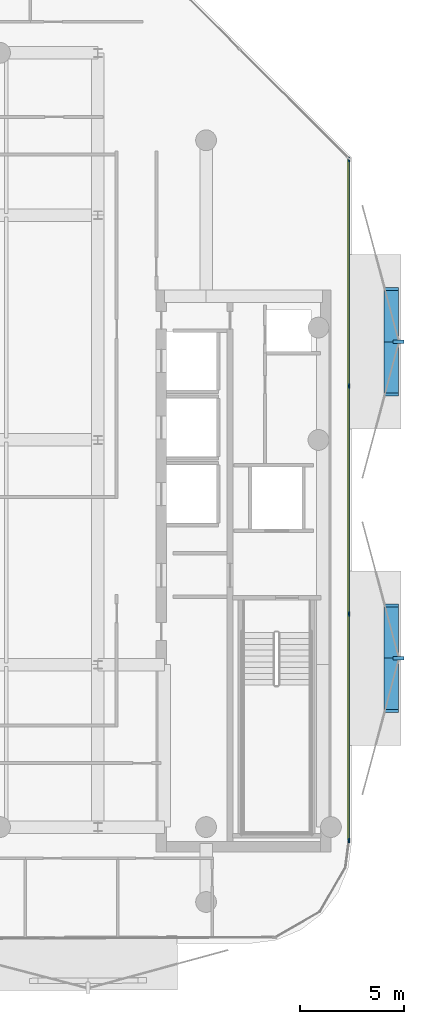
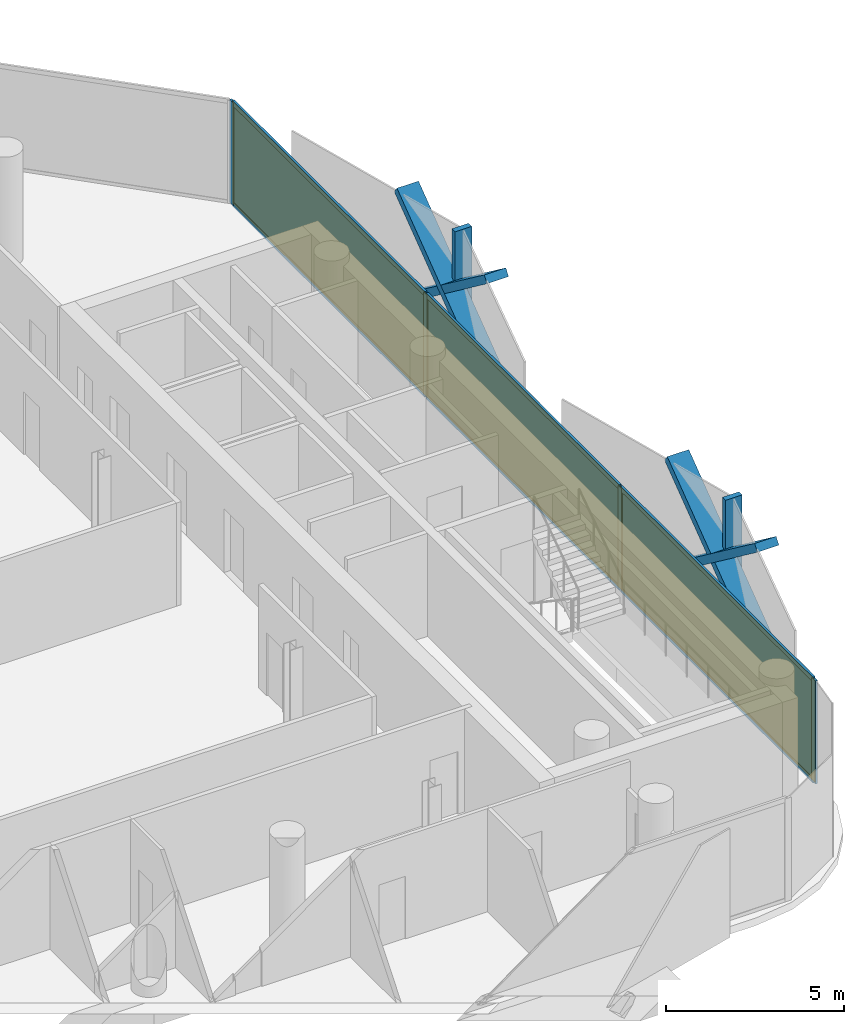
# One storey, part 11 of 16: 16 members, 3 plates, 1 curtain wall.
"""IFC4 building model written with IfcOpenShell, lengths in metres."""

from ifc_helpers import new_model, si_unit, direction, frame, frame_2d, origin, origin_2d, place, context, subcontext, project, spatial, rectangle, extrude, material, layer, layer_set, material_profile, profile_set, type_object, element, aggregate, save


model = new_model("IFC4")

# Units and contexts
model_context = context("Model", 3, precision=1e-05, world=origin(), true_north=direction((0.0, 1.0)))
body_context = subcontext(model_context, "Body", "Model", "MODEL_VIEW")
ifc_project = project(units=[si_unit("LENGTHUNIT", "METRE"), si_unit("AREAUNIT", "SQUARE_METRE"), si_unit("VOLUMEUNIT", "CUBIC_METRE"), si_unit("PLANEANGLEUNIT", "RADIAN"), si_unit("MASSUNIT", "GRAM", prefix="KILO")], contexts=[model_context])

# Member
ifc_material_1 = material(Name="Anodised Bronze Aluminium 6063-T6", Category="aluminium")
ifc_material_profile_1 = material_profile(ifc_material_1, rectangle(XDim=0.260009765625, YDim=0.699951171875, at=origin_2d()))
ifc_profile_set_1 = profile_set([ifc_material_profile_1], Name="Anodised Bronze Aluminium 6063-T6")
member_type_1 = type_object("IfcMemberType", Name="Bronze Diamond Solar-Screen Lattice Rib BDL-700", PredefinedType="MULLION", material=ifc_profile_set_1)
site_placement = place(None, origin())
building_placement = place(site_placement, origin())
storey_placement = place(building_placement, frame((0.0, 0.0, 281.39990234375)))
member_1_placement = place(storey_placement, frame((23.300048828125, 7.253173828125, -0.1298828125), z_axis=(0.0, -0.800120221635, 0.599839671021), x_axis=(0.0, -0.599839671021, -0.800120221635)))
member_1 = element("IfcMember", 1, at=member_1_placement, type_object=member_type_1, Name="L67 Bronze Diamond Solar Screen Lattice Rib 468A", PredefinedType="MULLION", context=body_context, shape_type="SweptSolid", body=[
    extrude(rectangle(XDim=0.260009765625, YDim=0.699951171875, at=origin_2d()), origin(), (0.0, 0.0, 1.0), 6.335205078125),
])

member_2_placement = place(storey_placement, frame((23.300048828125, 2.184326171875, -0.1298828125), z_axis=(0.0, 0.800120221635, 0.599839671021), x_axis=(0.0, 0.599839671021, -0.800120221635)))
member_2 = element("IfcMember", 2, at=member_2_placement, type_object=member_type_1, Name="L67 Bronze Diamond Solar Screen Lattice Rib 468B", PredefinedType="MULLION", context=body_context, shape_type="SweptSolid", body=[
    extrude(rectangle(XDim=0.260009765625, YDim=0.699951171875, at=origin_2d()), origin(), (0.0, 0.0, 1.0), 6.335205078125),
])

member_3_placement = place(storey_placement, frame((23.300048828125, -7.953125, -0.1298828125), z_axis=(0.0, -0.800120221635, 0.599839671021), x_axis=(0.0, -0.599839671021, -0.800120221635)))
member_3 = element("IfcMember", 3, at=member_3_placement, type_object=member_type_1, Name="L67 Bronze Diamond Solar Screen Lattice Rib 469A", PredefinedType="MULLION", context=body_context, shape_type="SweptSolid", body=[
    extrude(rectangle(XDim=0.260009765625, YDim=0.699951171875, at=origin_2d()), origin(), (0.0, 0.0, 1.0), 6.335205078125),
])

member_4_placement = place(storey_placement, frame((23.300048828125, -13.02197265625, -0.1298828125), z_axis=(0.0, 0.800120221635, 0.599839671021), x_axis=(0.0, 0.599839671021, -0.800120221635)))
member_4 = element("IfcMember", 4, at=member_4_placement, type_object=member_type_1, Name="L67 Bronze Diamond Solar Screen Lattice Rib 469B", PredefinedType="MULLION", context=body_context, shape_type="SweptSolid", body=[
    extrude(rectangle(XDim=0.260009765625, YDim=0.699951171875, at=origin_2d()), origin(), (0.0, 0.0, 1.0), 6.335205078125),
])

ifc_material_2 = material(Name="Anodised Bronze Aluminium 6063-T6", Category="aluminium")
ifc_material_profile_2 = material_profile(ifc_material_2, rectangle(XDim=0.179931640625, YDim=0.5400390625, at=origin_2d()))
ifc_profile_set_2 = profile_set([ifc_material_profile_2], Name="Anodised Bronze Aluminium 6063-T6")
member_type_2 = type_object("IfcMemberType", Name="Bronze Solar-Screen Vertical Fold Fin BSF-540", PredefinedType="MULLION", material=ifc_profile_set_2)
member_5_placement = place(storey_placement, frame((23.639892578125, 4.71875, -0.1298828125), z_axis=(0.0, 0.0, 1.0), x_axis=(0.0, -1.0, 0.0)))
member_5 = element("IfcMember", 5, at=member_5_placement, type_object=member_type_2, Name="L67 Bronze Solar Screen Vertical Fin 468", PredefinedType="MULLION", context=body_context, shape_type="SweptSolid", body=[
    extrude(rectangle(XDim=0.179931640625, YDim=0.5400390625, at=origin_2d()), origin(), (0.0, 0.0, 1.0), 3.800048828125),
])

member_6_placement = place(storey_placement, frame((23.639892578125, -10.487548828125, -0.1298828125), z_axis=(0.0, 0.0, 1.0), x_axis=(0.0, -1.0, 0.0)))
member_6 = element("IfcMember", 6, at=member_6_placement, type_object=member_type_2, Name="L67 Bronze Solar Screen Vertical Fin 469", PredefinedType="MULLION", context=body_context, shape_type="SweptSolid", body=[
    extrude(rectangle(XDim=0.179931640625, YDim=0.5400390625, at=origin_2d()), origin(), (0.0, 0.0, 1.0), 3.800048828125),
])

ifc_material_3 = material(Name="Anodised Bronze Aluminium 6063-T6", Category="aluminium")
ifc_material_profile_3 = material_profile(ifc_material_3, rectangle(XDim=0.074951171875, YDim=0.2099609375, at=origin_2d()))
ifc_profile_set_3 = profile_set([ifc_material_profile_3], Name="Anodised Bronze Aluminium 6063-T6")
member_type_3 = type_object("IfcMemberType", Name="CW-CRN Mullion 75x210", PredefinedType="MULLION", material=ifc_profile_set_3)
member_7_placement = place(storey_placement, frame((21.260009765625, 13.484619140625, 0.0), z_axis=(0.0, 0.0, 1.0), x_axis=(1.0, 0.0, 0.0)))
member_7 = element("IfcMember", 7, at=member_7_placement, type_object=member_type_3, Name="CW-CRN mullion 1", PredefinedType="MULLION", context=body_context, shape_type="SweptSolid", body=[
    extrude(rectangle(XDim=0.074951171875, YDim=0.2099609375, at=origin_2d()), origin(), (0.0, 0.0, 1.0), 3.5400390625),
])

member_8_placement = place(storey_placement, frame((21.260009765625, 2.58447265625, 0.0), z_axis=(0.0, 0.0, 1.0), x_axis=(1.0, 0.0, 0.0)))
member_8 = element("IfcMember", 8, at=member_8_placement, type_object=member_type_3, Name="CW-CRN mullion 2", PredefinedType="MULLION", context=body_context, shape_type="SweptSolid", body=[
    extrude(rectangle(XDim=0.074951171875, YDim=0.2099609375, at=origin_2d()), origin(), (0.0, 0.0, 1.0), 3.5400390625),
])

member_9_placement = place(storey_placement, frame((21.260009765625, -8.353271484375, 0.0), z_axis=(0.0, 0.0, 1.0), x_axis=(1.0, 0.0, 0.0)))
member_9 = element("IfcMember", 9, at=member_9_placement, type_object=member_type_3, Name="CW-CRN mullion 3", PredefinedType="MULLION", context=body_context, shape_type="SweptSolid", body=[
    extrude(rectangle(XDim=0.074951171875, YDim=0.2099609375, at=origin_2d()), origin(), (0.0, 0.0, 1.0), 3.5400390625),
])

member_10_placement = place(storey_placement, frame((21.260009765625, -19.25341796875, 0.0), z_axis=(0.0, 0.0, 1.0), x_axis=(1.0, 0.0, 0.0)))
member_10 = element("IfcMember", 10, at=member_10_placement, type_object=member_type_3, Name="CW-CRN mullion 4", PredefinedType="MULLION", context=body_context, shape_type="SweptSolid", body=[
    extrude(rectangle(XDim=0.074951171875, YDim=0.2099609375, at=origin_2d()), origin(), (0.0, 0.0, 1.0), 3.5400390625),
])

ifc_material_4 = material(Name="Anodised Bronze Aluminium 6063-T6", Category="aluminium")
ifc_material_profile_4 = material_profile(ifc_material_4, rectangle(XDim=0.074951171875, YDim=0.1650390625, at=origin_2d()))
ifc_profile_set_4 = profile_set([ifc_material_profile_4], Name="Anodised Bronze Aluminium 6063-T6")
member_type_4 = type_object("IfcMemberType", Name="CW-CRN Transom 75x165", PredefinedType="USERDEFINED", material=ifc_profile_set_4)
member_11_placement = place(storey_placement, frame((21.260009765625, 13.447021484375, 0.03759765625), z_axis=(0.0, -1.0, 0.0), x_axis=(1.0, 0.0, 0.0)))
member_11 = element("IfcMember", 11, at=member_11_placement, type_object=member_type_4, Name="CW-CRN transom 1.1", ObjectType="TRANSOM", PredefinedType="USERDEFINED", context=body_context, shape_type="SweptSolid", body=[
    extrude(rectangle(XDim=0.074951171875, YDim=0.1650390625, at=origin_2d()), origin(), (0.0, 0.0, 1.0), 10.8251953125),
])

member_12_placement = place(storey_placement, frame((21.260009765625, 13.447021484375, 3.502685546875), z_axis=(0.0, -1.0, 0.0), x_axis=(1.0, 0.0, 0.0)))
member_12 = element("IfcMember", 12, at=member_12_placement, type_object=member_type_4, Name="CW-CRN transom 1.2", ObjectType="TRANSOM", PredefinedType="USERDEFINED", context=body_context, shape_type="SweptSolid", body=[
    extrude(rectangle(XDim=0.074951171875, YDim=0.1650390625, at=origin_2d()), origin(), (0.0, 0.0, 1.0), 10.8251953125),
])

member_13_placement = place(storey_placement, frame((21.260009765625, 2.546875, 0.03759765625), z_axis=(0.0, -1.0, 0.0), x_axis=(1.0, 0.0, 0.0)))
member_13 = element("IfcMember", 13, at=member_13_placement, type_object=member_type_4, Name="CW-CRN transom 2.1", ObjectType="TRANSOM", PredefinedType="USERDEFINED", context=body_context, shape_type="SweptSolid", body=[
    extrude(rectangle(XDim=0.074951171875, YDim=0.1650390625, at=origin_2d()), origin(), (0.0, 0.0, 1.0), 10.862548828125),
])

member_14_placement = place(storey_placement, frame((21.260009765625, 2.546875, 3.502685546875), z_axis=(0.0, -1.0, 0.0), x_axis=(1.0, 0.0, 0.0)))
member_14 = element("IfcMember", 14, at=member_14_placement, type_object=member_type_4, Name="CW-CRN transom 2.2", ObjectType="TRANSOM", PredefinedType="USERDEFINED", context=body_context, shape_type="SweptSolid", body=[
    extrude(rectangle(XDim=0.074951171875, YDim=0.1650390625, at=origin_2d()), origin(), (0.0, 0.0, 1.0), 10.862548828125),
])

member_15_placement = place(storey_placement, frame((21.260009765625, -8.390625, 0.03759765625), z_axis=(0.0, -1.0, 0.0), x_axis=(1.0, 0.0, 0.0)))
member_15 = element("IfcMember", 15, at=member_15_placement, type_object=member_type_4, Name="CW-CRN transom 3.1", ObjectType="TRANSOM", PredefinedType="USERDEFINED", context=body_context, shape_type="SweptSolid", body=[
    extrude(rectangle(XDim=0.074951171875, YDim=0.1650390625, at=origin_2d()), origin(), (0.0, 0.0, 1.0), 10.8251953125),
])

member_16_placement = place(storey_placement, frame((21.260009765625, -8.390625, 3.502685546875), z_axis=(0.0, -1.0, 0.0), x_axis=(1.0, 0.0, 0.0)))
member_16 = element("IfcMember", 16, at=member_16_placement, type_object=member_type_4, Name="CW-CRN transom 3.2", ObjectType="TRANSOM", PredefinedType="USERDEFINED", context=body_context, shape_type="SweptSolid", body=[
    extrude(rectangle(XDim=0.074951171875, YDim=0.1650390625, at=origin_2d()), origin(), (0.0, 0.0, 1.0), 10.8251953125),
])

# Plate
ifc_material_5 = material(Name="Low-E Solar Control Laminated Glass", Category="glass")
ifc_layer_1 = layer(ifc_material_5, 0.035888671875, Name="Low-E Solar Control Laminated Glass")
ifc_layer_set_1 = layer_set([ifc_layer_1], Name="Low-E Solar Control Laminated Glass")
plate_type = type_object("IfcPlateType", Name="CW-CRN Low-E Double Glazed Panel 36mm", PredefinedType="CURTAIN_PANEL", material=ifc_layer_set_1)
plate_1_placement = place(storey_placement, frame((21.260009765625, 8.034423828125, 0.0751953125), z_axis=(0.0, 0.0, 1.0), x_axis=(0.0, -1.0, 0.0)))
plate_1 = element("IfcPlate", 17, at=plate_1_placement, type_object=plate_type, Name="CW-CRN panel 1.1", PredefinedType="CURTAIN_PANEL", context=body_context, shape_type="SweptSolid", body=[
    extrude(rectangle(XDim=10.8251953125, YDim=0.035888671875, at=origin_2d()), origin(), (0.0, 0.0, 1.0), 3.389892578125),
])

plate_2_placement = place(storey_placement, frame((21.260009765625, -2.884521484375, 0.0751953125), z_axis=(0.0, 0.0, 1.0), x_axis=(0.0, -1.0, 0.0)))
plate_2 = element("IfcPlate", 18, at=plate_2_placement, type_object=plate_type, Name="CW-CRN panel 2.1", PredefinedType="CURTAIN_PANEL", context=body_context, shape_type="SweptSolid", body=[
    extrude(rectangle(XDim=10.862548828125, YDim=0.035888671875, at=origin_2d()), origin(), (0.0, 0.0, 1.0), 3.389892578125),
])

plate_3_placement = place(storey_placement, frame((21.260009765625, -13.80322265625, 0.0751953125), z_axis=(0.0, 0.0, 1.0), x_axis=(0.0, -1.0, 0.0)))
plate_3 = element("IfcPlate", 19, at=plate_3_placement, type_object=plate_type, Name="CW-CRN panel 3.1", PredefinedType="CURTAIN_PANEL", context=body_context, shape_type="SweptSolid", body=[
    extrude(rectangle(XDim=10.8251953125, YDim=0.035888671875, at=origin_2d()), origin(), (0.0, 0.0, 1.0), 3.389892578125),
])

# Site, building, storey
site = spatial("IfcSite", under=ifc_project, at=site_placement, CompositionType="ELEMENT")
building = spatial("IfcBuilding", under=site, at=building_placement, Name="Khairoan Windgate Tower", CompositionType="ELEMENT")
storey = spatial("IfcBuildingStorey", under=building, at=storey_placement, Name="L67", CompositionType="ELEMENT", Elevation=281.39990234375)

# Curtain wall
ifc_material_6 = material(Name="Anodised Bronze Aluminium 6063-T6", Category="aluminium")
ifc_layer_2 = layer(ifc_material_6, 0.2099609375, Name="Anodised Bronze Aluminium 6063-T6")
ifc_layer_set_2 = layer_set([ifc_layer_2], Name="Anodised Bronze Aluminium 6063-T6")
curtain_wall_type = type_object("IfcCurtainWallType", Name="Crown Observation and Vitrine Curtain Wall CW-CRN", PredefinedType="NOTDEFINED", material=ifc_layer_set_2)
curtain_wall_placement = place(storey_placement, frame((21.260009765625, 13.52197265625, 0.0), z_axis=(0.0, 0.0, 1.0), x_axis=(0.0, -1.0, 0.0)))
curtain_wall = element("IfcCurtainWall", 20, at=curtain_wall_placement, inside=storey, type_object=curtain_wall_type, Name="L67 Unitised Curtain Wall 9", PredefinedType="NOTDEFINED", context=body_context, shape_type="SweptSolid", body=[
    extrude(rectangle(XDim=32.812744140625, YDim=0.010009765625, at=frame_2d((16.40625, 0.0))), origin(), (0.0, 0.0, 1.0), 3.5400390625),
])

aggregate(curtain_wall, [member_7, member_8, member_9, member_10, member_11, member_12, plate_1, member_13, member_14, plate_2, member_15, member_16, plate_3, member_1, member_2, member_5, member_3, member_4, member_6])

save(model, "model.ifc")
